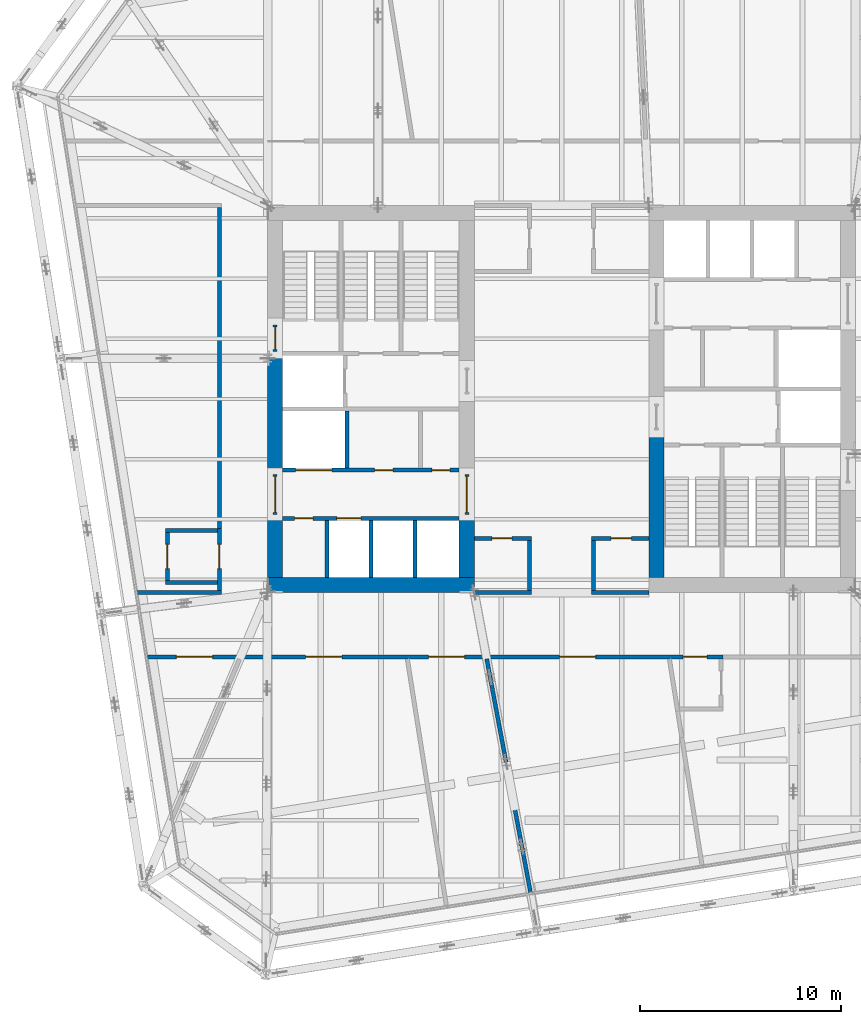
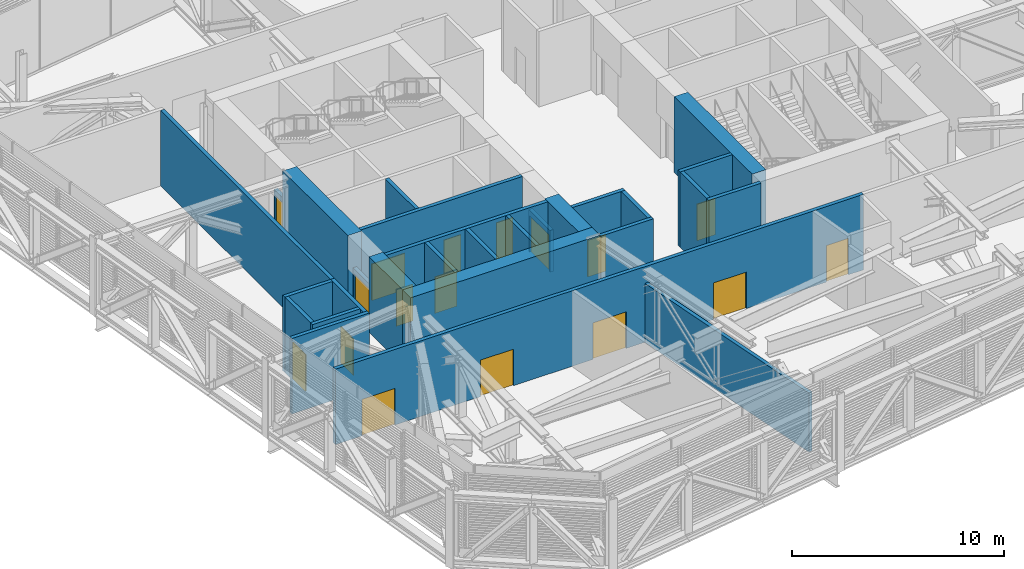
# One storey, part 20 of 31: 28 walls, 17 doors, 17 openings.
"""IFC4 building model written with IfcOpenShell, lengths in metres."""

import ifcopenshell
import ifcopenshell.guid

model = None  # the IFC model being written
_history = None  # IfcOwnerHistory: only IFC2X3 demands one
_inside = {}  # id of a spatial element -> (the spatial element, [elements in it])
_under = {}  # id of a project, library or spatial element -> (it, [spatial elements below it])
_declared = {}  # id of a project -> (the project, [libraries it declares])
_typed = {}  # id of a type object -> (the type object, [elements of that type])
_made_of = {}  # id of a material, layer set ... -> (it, [elements and type objects made of it])


def new_model(schema):
    """Start an empty IFC model of exactly this schema.

    Asked for "IFC4X3", IfcOpenShell would pick the latest addendum, in which some entities
    have other attributes; the version numbers below select the first issue.
    IFC2X3 requires an IfcOwnerHistory on every rooted entity: one is made here for all.
    """
    global model, _history
    if schema == "IFC4X3":
        model = ifcopenshell.file(schema_version=(4, 3, 0, 0))
    else:
        model = ifcopenshell.file(schema=schema)
    _inside.clear()
    _under.clear()
    _declared.clear()
    _typed.clear()
    _made_of.clear()
    _history = None
    if model.schema == "IFC2X3":
        org = make("IfcOrganization", Name="unknown")
        user = make(
            "IfcPersonAndOrganization",
            ThePerson=make("IfcPerson", FamilyName="unknown"),
            TheOrganization=org,
        )
        app = make(
            "IfcApplication",
            ApplicationDeveloper=org,
            Version="unknown",
            ApplicationFullName="unknown",
            ApplicationIdentifier="unknown",
        )
        _history = make(
            "IfcOwnerHistory",
            OwningUser=user,
            OwningApplication=app,
            ChangeAction="ADDED",
            CreationDate=0,
        )
    return model


def make(cls, **values):
    """One entity of the class cls with the attributes given. An attribute that is None is left unset."""
    return model.create_entity(
        cls, **{name: value for name, value in values.items() if value is not None}
    )


def rooted(cls, **values):
    """An entity with a GlobalId (a new one), such as an element, a storey or a relation."""
    return make(cls, GlobalId=ifcopenshell.guid.new(), OwnerHistory=_history, **values)


def si_unit(unit_type, name, prefix=None):
    """IfcSIUnit, for example si_unit("LENGTHUNIT", "METRE", prefix="MILLI")."""
    return make("IfcSIUnit", UnitType=unit_type, Prefix=prefix, Name=name)


def assignment(units):
    """IfcUnitAssignment: the units of a project."""
    return None if units is None else make("IfcUnitAssignment", Units=units)


def point(xyz):
    """IfcCartesianPoint."""
    return None if xyz is None else make("IfcCartesianPoint", Coordinates=xyz)


def direction(xyz):
    """IfcDirection."""
    return None if xyz is None else make("IfcDirection", DirectionRatios=xyz)


def frame(location, z_axis=None, x_axis=None):
    """IfcAxis2Placement3D, a coordinate frame: its origin and axes. An axis left out is left unset."""
    return make(
        "IfcAxis2Placement3D",
        Location=point(location),
        Axis=direction(z_axis),
        RefDirection=direction(x_axis),
    )


def frame_2d(location, x_axis=None):
    """IfcAxis2Placement2D, a coordinate frame in the plane: its origin and x axis."""
    return make(
        "IfcAxis2Placement2D", Location=point(location), RefDirection=direction(x_axis)
    )


def origin():
    """The frame at (0, 0, 0) with its axes left unset."""
    return frame((0.0, 0.0, 0.0))


def place(relative_to, where):
    """IfcLocalPlacement: puts the frame where relative to a parent placement (None: the world)."""
    return make(
        "IfcLocalPlacement", PlacementRelTo=relative_to, RelativePlacement=where
    )


def context(
    kind, dimensions, precision=None, world=None, true_north=None, identifier=None
):
    """IfcGeometricRepresentationContext, for example the 3D "Model" context."""
    return make(
        "IfcGeometricRepresentationContext",
        ContextIdentifier=identifier,
        ContextType=kind,
        CoordinateSpaceDimension=dimensions,
        Precision=precision,
        WorldCoordinateSystem=world,
        TrueNorth=true_north,
    )


def subcontext(parent, identifier, kind, view, scale=None):
    """IfcGeometricRepresentationSubContext, for example "Body" below "Model"."""
    return make(
        "IfcGeometricRepresentationSubContext",
        ContextIdentifier=identifier,
        ContextType=kind,
        ParentContext=parent,
        TargetScale=scale,
        TargetView=view,
    )


def project(units=None, contexts=None):
    """IfcProject with its units and contexts."""
    return rooted(
        "IfcProject",
        Name="project",
        RepresentationContexts=contexts,
        UnitsInContext=assignment(units),
    )


def spatial(cls, under=None, at=None, **own):
    """A site, building, storey or space (cls), placed at a placement, below another one or the project."""
    s = rooted(cls, ObjectPlacement=at, **own)
    if under is not None:
        _under.setdefault(under.id(), (under, []))[1].append(s)
    return s


def profile(cls, at=None, kind="AREA", **sizes):
    """A parametric profile (cls). Its sizes go by their IFC names, for example OverallWidth=200.0."""
    return make(cls, ProfileType=kind, Position=at, **sizes)


def rectangle(**sizes):
    """IfcRectangleProfileDef."""
    return profile("IfcRectangleProfileDef", **sizes)


def extrude(swept, where, along, depth):
    """IfcExtrudedAreaSolid: the profile swept, set in the frame where, extruded along a direction by depth."""
    return make(
        "IfcExtrudedAreaSolid",
        SweptArea=swept,
        Position=where,
        ExtrudedDirection=direction(along),
        Depth=depth,
    )


def shape(context_of_items, identifier, shape_type, items):
    """IfcShapeRepresentation: the items that make up one representation, for example the "Body"."""
    return make(
        "IfcShapeRepresentation",
        ContextOfItems=context_of_items,
        RepresentationIdentifier=identifier,
        RepresentationType=shape_type,
        Items=items,
    )


def material(Name=None, Category=None):
    """IfcMaterial."""
    return make("IfcMaterial", Name=Name, Category=Category)


def layer(
    of_material, thickness, ventilated=None, Name=None, Category=None, Priority=None
):
    """IfcMaterialLayer: one layer of a wall or slab, of a material (None: an air gap)."""
    return make(
        "IfcMaterialLayer",
        Material=of_material,
        LayerThickness=thickness,
        IsVentilated=ventilated,
        Name=Name,
        Category=Category,
        Priority=Priority,
    )


def layer_set(layers, Name=None):
    """IfcMaterialLayerSet."""
    return make("IfcMaterialLayerSet", MaterialLayers=layers, LayerSetName=Name)


def made_of(thing, what):
    """Note that an element or type object is made of a material, layer set ...; save() writes the relation."""
    if what is not None:
        _made_of.setdefault(what.id(), (what, []))[1].append(thing)
    return thing


def type_object(cls, material=None, **own):
    """A type object (cls), such as IfcWallType, which elements share."""
    return made_of(rooted(cls, **own), material)


def element(
    cls,
    number,
    at=None,
    inside=None,
    cuts=None,
    type_object=None,
    material=None,
    context=None,
    identifier="Body",
    shape_type=None,
    held_by="IfcProductDefinitionShape",
    body=None,
    shapes=None,
    **own,
):
    """One element of the class cls, such as IfcWall. Its Tag is "e" and its number.

    at: its placement. inside: the storey or other place that contains it. cuts: it is an
    opening in that element (IfcRelVoidsElement). A single representation is given by context,
    identifier, shape_type and body (its items); several are given by shapes. held_by: the class
    of the entity that holds the representations. save() writes the other relations.
    """
    e = rooted(cls, Tag="e%d" % number, ObjectPlacement=at, **own)
    if body is not None:
        shapes = [shape(context, identifier, shape_type, body)]
    if shapes is not None:
        e.Representation = make(held_by, Representations=shapes)
    if inside is not None:
        _inside.setdefault(inside.id(), (inside, []))[1].append(e)
    if cuts is not None:
        rooted(
            "IfcRelVoidsElement", RelatingBuildingElement=cuts, RelatedOpeningElement=e
        )
    if type_object is not None:
        _typed.setdefault(type_object.id(), (type_object, []))[1].append(e)
    return made_of(e, material)


def fill(opening, filler):
    """IfcRelFillsElement: the door or window that sits in an opening."""
    return rooted(
        "IfcRelFillsElement",
        RelatingOpeningElement=opening,
        RelatedBuildingElement=filler,
    )


def aggregate(whole, parts):
    """IfcRelAggregates: a whole, such as a stair, and the parts it consists of."""
    return rooted("IfcRelAggregates", RelatingObject=whole, RelatedObjects=parts)


def save(model, path):
    """Write the relations noted so far, then the file.

    IfcRelAggregates (storeys below a building ...), IfcRelContainedInSpatialStructure (elements
    in a storey), IfcRelDefinesByType, IfcRelAssociatesMaterial and IfcRelDeclares: one each for
    every whole, place, type object, material and project.
    """
    for whole, parts in _under.values():
        aggregate(whole, parts)
    for where, things in _inside.values():
        rooted(
            "IfcRelContainedInSpatialStructure",
            RelatedElements=things,
            RelatingStructure=where,
        )
    for kind, things in _typed.values():
        rooted("IfcRelDefinesByType", RelatedObjects=things, RelatingType=kind)
    for what, things in _made_of.values():
        rooted("IfcRelAssociatesMaterial", RelatedObjects=things, RelatingMaterial=what)
    for by, libraries in _declared.values():
        rooted("IfcRelDeclares", RelatingContext=by, RelatedDefinitions=libraries)
    model.write(path)


model = new_model("IFC4")

# Units and contexts
model_context = context("Model", 3, precision=1e-05, world=origin(), true_north=direction((0.0, 1.0)))
body_context = subcontext(model_context, "Body", "Model", "MODEL_VIEW")
ifc_project = project(units=[si_unit("LENGTHUNIT", "METRE"), si_unit("AREAUNIT", "SQUARE_METRE"), si_unit("VOLUMEUNIT", "CUBIC_METRE"), si_unit("PLANEANGLEUNIT", "RADIAN"), si_unit("MASSUNIT", "GRAM", prefix="KILO")], contexts=[model_context])

# Site, building, storey
site_placement = place(None, origin())
site = spatial("IfcSite", under=ifc_project, at=site_placement, CompositionType="ELEMENT")
building_placement = place(site_placement, origin())
building = spatial("IfcBuilding", under=site, at=building_placement, Name="Millrace Tower", CompositionType="ELEMENT")
storey_placement = place(building_placement, frame((0.0, 0.0, 195.60009765625)))
storey = spatial("IfcBuildingStorey", under=building, at=storey_placement, Name="L44", CompositionType="ELEMENT", Elevation=195.60009765625)

# Walls
ifc_material_1 = material(Name="Concrete C70", Category="concrete")
ifc_layer_1 = layer(ifc_material_1, 0.75)
ifc_layer_set_1 = layer_set([ifc_layer_1], Name="Concrete C70")
wall_type_1 = type_object("IfcWallType", Name="Core wall 750 Concrete C70", PredefinedType="SHEAR", material=ifc_layer_set_1)
wall_1_placement = place(storey_placement, frame((-14.64990234375, -9.27490234375, 0.0), z_axis=(0.0, 0.0, 1.0), x_axis=(1.0, 0.0, 0.0)))
element("IfcWall", 1, at=wall_1_placement, inside=storey, type_object=wall_type_1, Name="Core wall W L44", PredefinedType="SHEAR", context=body_context, shape_type="SweptSolid", body=[
    extrude(rectangle(XDim=10.2998046875, YDim=0.75, at=frame_2d((5.14990234375, 0.0))), origin(), (0.0, 0.0, 1.0), 4.33984375),
])
wall_2_placement = place(storey_placement, frame((-14.27490234375, -8.89990234375, 0.0), z_axis=(0.0, 0.0, 1.0), x_axis=(0.0, 1.0, 0.0)))
element("IfcWall", 2, at=wall_2_placement, inside=storey, type_object=wall_type_1, Name="Core wall W L44", PredefinedType="SHEAR", context=body_context, shape_type="SweptSolid", body=[
    extrude(rectangle(XDim=3.14990234375, YDim=0.75, at=frame_2d((1.574951171875, 0.0))), origin(), (0.0, 0.0, 1.0), 4.33984375),
])
wall_3_placement = place(storey_placement, frame((-14.27490234375, -3.75, 0.0), z_axis=(0.0, 0.0, 1.0), x_axis=(0.0, 1.0, 0.0)))
element("IfcWall", 3, at=wall_3_placement, inside=storey, type_object=wall_type_1, Name="Core wall W L44", PredefinedType="SHEAR", context=body_context, shape_type="SweptSolid", body=[
    extrude(rectangle(XDim=6.1298828125, YDim=0.75, at=frame_2d((3.06494140625, 0.0))), origin(), (0.0, 0.0, 1.0), 4.33984375),
])
wall_4_placement = place(storey_placement, frame((-4.72509765625, -8.89990234375, 0.0), z_axis=(0.0, 0.0, 1.0), x_axis=(0.0, 1.0, 0.0)))
element("IfcWall", 4, at=wall_4_placement, inside=storey, type_object=wall_type_1, Name="Core wall W L44", PredefinedType="SHEAR", context=body_context, shape_type="SweptSolid", body=[
    extrude(rectangle(XDim=3.14990234375, YDim=0.75, at=frame_2d((1.574951171875, 0.0))), origin(), (0.0, 0.0, 1.0), 4.33984375),
])
wall_5_placement = place(storey_placement, frame((4.72509765625, -1.550048828125, 0.0), z_axis=(0.0, 0.0, 1.0), x_axis=(0.0, -1.0, 0.0)))
element("IfcWall", 5, at=wall_5_placement, inside=storey, type_object=wall_type_1, Name="Core wall E L44", PredefinedType="SHEAR", context=body_context, shape_type="SweptSolid", body=[
    extrude(rectangle(XDim=7.349853515625, YDim=0.75, at=frame_2d((3.6748046875, 0.0))), origin(), (0.0, 0.0, 1.0), 4.33984375),
])
ifc_material_2 = material(Name="Masonry partition, fire-rated", Category="masonry")
ifc_layer_2 = layer(ifc_material_2, 0.199951171875)
ifc_layer_set_2 = layer_set([ifc_layer_2], Name="Masonry partition, fire-rated")
wall_type_2 = type_object("IfcWallType", Name="Corridor wall 200", PredefinedType="PARTITIONING", material=ifc_layer_set_2)
wall_6_placement = place(storey_placement, frame((-3.73046875, -12.953369140625, 0.0), z_axis=(0.0, 0.0, 1.0), x_axis=(0.184330800023, -0.982864261311, 0.0)))
element("IfcWall", 6, at=wall_6_placement, inside=storey, type_object=wall_type_2, Name="Corridor wall L44", PredefinedType="PARTITIONING", context=body_context, shape_type="SweptSolid", body=[
    extrude(rectangle(XDim=11.85791015625, YDim=0.199951171875, at=frame_2d((5.928955078125, 0.0))), origin(), (0.0, 0.0, 1.0), 3.392578125),
])

# Wall, openings, doors
wall_7_placement = place(storey_placement, frame((-20.6435546875, -12.85009765625, 0.0), z_axis=(0.0, 0.0, 1.0), x_axis=(1.0, 0.0, 0.0)))
wall_7 = element("IfcWall", 7, at=wall_7_placement, inside=storey, type_object=wall_type_2, Name="Corridor wall L44", PredefinedType="PARTITIONING", context=body_context, shape_type="SweptSolid", body=[
    extrude(rectangle(XDim=28.700439453125, YDim=0.199951171875, at=frame_2d((14.35009765625, 0.0))), origin(), (0.0, 0.0, 1.0), 4.33984375),
])
opening_1_placement = place(wall_7_placement, frame((1.44580078125, 0.0, 0.0)))
opening_1 = element("IfcOpeningElement", 8, at=opening_1_placement, cuts=wall_7, Name="Opening 44-P011", PredefinedType="OPENING", context=body_context, shape_type="SweptSolid", body=[
    extrude(rectangle(XDim=1.800048828125, YDim=2.10009765625, at=frame_2d((0.89990234375, 1.050048828125))), frame((0.0, 0.10986328125, 0.0), z_axis=(0.0, -1.0, 0.0), x_axis=(1.0, 0.0, 0.0)), (0.0, 0.0, 1.0), 0.219970703125),
])
opening_2_placement = place(wall_7_placement, frame((7.89013671875, 0.0, 0.0)))
opening_2 = element("IfcOpeningElement", 9, at=opening_2_placement, cuts=wall_7, Name="Opening 44-P012", PredefinedType="OPENING", context=body_context, shape_type="SweptSolid", body=[
    extrude(rectangle(XDim=1.800048828125, YDim=2.10009765625, at=frame_2d((0.89990234375, 1.050048828125))), frame((0.0, 0.10986328125, 0.0), z_axis=(0.0, -1.0, 0.0), x_axis=(1.0, 0.0, 0.0)), (0.0, 0.0, 1.0), 0.219970703125),
])
opening_3_placement = place(wall_7_placement, frame((14.0166015625, 0.0, 0.0)))
opening_3 = element("IfcOpeningElement", 10, at=opening_3_placement, cuts=wall_7, Name="Opening 44-P013", PredefinedType="OPENING", context=body_context, shape_type="SweptSolid", body=[
    extrude(rectangle(XDim=1.800048828125, YDim=2.10009765625, at=frame_2d((0.89990234375, 1.050048828125))), frame((0.0, 0.10986328125, 0.0), z_axis=(0.0, -1.0, 0.0), x_axis=(1.0, 0.0, 0.0)), (0.0, 0.0, 1.0), 0.219970703125),
])
opening_4_placement = place(wall_7_placement, frame((20.547119140625, 0.0, 0.0)))
opening_4 = element("IfcOpeningElement", 11, at=opening_4_placement, cuts=wall_7, Name="Opening 44-P014", PredefinedType="OPENING", context=body_context, shape_type="SweptSolid", body=[
    extrude(rectangle(XDim=1.800048828125, YDim=2.10009765625, at=frame_2d((0.89990234375, 1.050048828125))), frame((0.0, 0.10986328125, 0.0), z_axis=(0.0, -1.0, 0.0), x_axis=(1.0, 0.0, 0.0)), (0.0, 0.0, 1.0), 0.219970703125),
])
opening_5_placement = place(wall_7_placement, frame((26.700439453125, 0.0, 0.0)))
opening_5 = element("IfcOpeningElement", 12, at=opening_5_placement, cuts=wall_7, Name="Opening 44-P016", PredefinedType="OPENING", context=body_context, shape_type="SweptSolid", body=[
    extrude(rectangle(XDim=1.199951171875, YDim=2.10009765625, at=frame_2d((0.60009765625, 1.050048828125))), frame((0.0, 0.10986328125, 0.0), z_axis=(0.0, -1.0, 0.0), x_axis=(1.0, 0.0, 0.0)), (0.0, 0.0, 1.0), 0.219970703125),
])
ifc_material_3 = material(Name="Steel door set, fire-rated", Category="steel")
door_type_1 = type_object("IfcDoorType", Name="Corridor door 1200 x 2100", OperationType="SINGLE_SWING_LEFT", PredefinedType="DOOR", material=ifc_material_3)
door_1_placement = place(opening_5_placement, frame((1.199951171875, 0.0, 0.0), z_axis=(0.0, 0.0, 1.0), x_axis=(-1.0, 0.0, 0.0)))
door_1 = element("IfcDoor", 13, at=door_1_placement, inside=storey, type_object=door_type_1, Name="Door 44-P016", OperationType="SINGLE_SWING_LEFT", OverallHeight=2.10009765625, OverallWidth=1.199951171875, PredefinedType="DOOR", context=body_context, shape_type="SweptSolid", body=[
    extrude(rectangle(XDim=1.199951171875, YDim=2.10009765625, at=frame_2d((0.60009765625, 1.050048828125))), frame((0.0, 0.02490234375, 0.0), z_axis=(0.0, -1.0, 0.0), x_axis=(1.0, 0.0, 0.0)), (0.0, 0.0, 1.0), 0.050048828125),
])
fill(opening_5, door_1)
ifc_material_4 = material(Name="Steel door set, fire-rated", Category="steel")
door_type_2 = type_object("IfcDoorType", Name="Plant room door 1800 x 2100", OperationType="DOUBLE_DOOR_SINGLE_SWING", PredefinedType="DOOR", material=ifc_material_4)
door_2_placement = place(opening_1_placement, frame((1.800048828125, 0.0, 0.0), z_axis=(0.0, 0.0, 1.0), x_axis=(-1.0, 0.0, 0.0)))
door_2 = element("IfcDoor", 14, at=door_2_placement, inside=storey, type_object=door_type_2, Name="Door 44-P011", OperationType="DOUBLE_DOOR_SINGLE_SWING", OverallHeight=2.10009765625, OverallWidth=1.800048828125, PredefinedType="DOOR", context=body_context, shape_type="SweptSolid", body=[
    extrude(rectangle(XDim=1.800048828125, YDim=2.10009765625, at=frame_2d((0.89990234375, 1.050048828125))), frame((0.0, 0.02490234375, 0.0), z_axis=(0.0, -1.0, 0.0), x_axis=(1.0, 0.0, 0.0)), (0.0, 0.0, 1.0), 0.050048828125),
])
fill(opening_1, door_2)
door_3_placement = place(opening_2_placement, frame((1.800048828125, 0.0, 0.0), z_axis=(0.0, 0.0, 1.0), x_axis=(-1.0, 0.0, 0.0)))
door_3 = element("IfcDoor", 15, at=door_3_placement, inside=storey, type_object=door_type_2, Name="Door 44-P012", OperationType="DOUBLE_DOOR_SINGLE_SWING", OverallHeight=2.10009765625, OverallWidth=1.800048828125, PredefinedType="DOOR", context=body_context, shape_type="SweptSolid", body=[
    extrude(rectangle(XDim=1.800048828125, YDim=2.10009765625, at=frame_2d((0.89990234375, 1.050048828125))), frame((0.0, 0.02490234375, 0.0), z_axis=(0.0, -1.0, 0.0), x_axis=(1.0, 0.0, 0.0)), (0.0, 0.0, 1.0), 0.050048828125),
])
fill(opening_2, door_3)
door_4_placement = place(opening_3_placement, frame((1.800048828125, 0.0, 0.0), z_axis=(0.0, 0.0, 1.0), x_axis=(-1.0, 0.0, 0.0)))
door_4 = element("IfcDoor", 16, at=door_4_placement, inside=storey, type_object=door_type_2, Name="Door 44-P013", OperationType="DOUBLE_DOOR_SINGLE_SWING", OverallHeight=2.10009765625, OverallWidth=1.800048828125, PredefinedType="DOOR", context=body_context, shape_type="SweptSolid", body=[
    extrude(rectangle(XDim=1.800048828125, YDim=2.10009765625, at=frame_2d((0.89990234375, 1.050048828125))), frame((0.0, 0.02490234375, 0.0), z_axis=(0.0, -1.0, 0.0), x_axis=(1.0, 0.0, 0.0)), (0.0, 0.0, 1.0), 0.050048828125),
])
fill(opening_3, door_4)
door_5_placement = place(opening_4_placement, frame((1.800048828125, 0.0, 0.0), z_axis=(0.0, 0.0, 1.0), x_axis=(-1.0, 0.0, 0.0)))
door_5 = element("IfcDoor", 17, at=door_5_placement, inside=storey, type_object=door_type_2, Name="Door 44-P014", OperationType="DOUBLE_DOOR_SINGLE_SWING", OverallHeight=2.10009765625, OverallWidth=1.800048828125, PredefinedType="DOOR", context=body_context, shape_type="SweptSolid", body=[
    extrude(rectangle(XDim=1.800048828125, YDim=2.10009765625, at=frame_2d((0.89990234375, 1.050048828125))), frame((0.0, 0.02490234375, 0.0), z_axis=(0.0, -1.0, 0.0), x_axis=(1.0, 0.0, 0.0)), (0.0, 0.0, 1.0), 0.050048828125),
])
fill(opening_4, door_5)

# Walls
for number, where, z_axis, x_axis, name in (
    (18, (-4.35009765625, -9.64990234375, 0.0), (0.0, 0.0, 1.0), (1.0, 0.0, 0.0), "Corridor wall L44"),
    (19, (1.5, -9.64990234375, 0.0), (0.0, 0.0, 1.0), (1.0, 0.0, 0.0), "Corridor wall L44"),
):
    element("IfcWall", number, at=place(storey_placement, frame(where, z_axis=z_axis, x_axis=x_axis)), inside=storey, type_object=wall_type_2, Name=name, PredefinedType="PARTITIONING", context=body_context, shape_type="SweptSolid", body=[
        extrude(rectangle(XDim=2.85009765625, YDim=0.199951171875, at=frame_2d((1.425048828125, 0.0))), origin(), (0.0, 0.0, 1.0), 4.33984375),
    ])

# Wall, opening, door
wall_8_placement = place(storey_placement, frame((-4.35009765625, -6.949951171875, 0.0), z_axis=(0.0, 0.0, 1.0), x_axis=(1.0, 0.0, 0.0)))
wall_8 = element("IfcWall", 20, at=wall_8_placement, inside=storey, type_object=wall_type_2, Name="Corridor wall L44", PredefinedType="PARTITIONING", context=body_context, shape_type="SweptSolid", body=[
    extrude(rectangle(XDim=2.85009765625, YDim=0.199951171875, at=frame_2d((1.425048828125, 0.0))), origin(), (0.0, 0.0, 1.0), 4.33984375),
])
opening_6_placement = place(wall_8_placement, frame((0.875, 0.0, 0.0)))
opening_6 = element("IfcOpeningElement", 21, at=opening_6_placement, cuts=wall_8, Name="Opening 44-P003", PredefinedType="OPENING", context=body_context, shape_type="SweptSolid", body=[
    extrude(rectangle(XDim=1.0, YDim=2.10009765625, at=frame_2d((0.5, 1.050048828125))), frame((0.0, 0.10986328125, 0.0), z_axis=(0.0, -1.0, 0.0), x_axis=(1.0, 0.0, 0.0)), (0.0, 0.0, 1.0), 0.219970703125),
])
ifc_material_5 = material(Name="Steel door set, fire-rated", Category="steel")
door_type_3 = type_object("IfcDoorType", Name="Corridor door 1000 x 2100", OperationType="SINGLE_SWING_LEFT", PredefinedType="DOOR", material=ifc_material_5)
door_6_placement = place(opening_6_placement, frame((1.0, 0.0, 0.0), z_axis=(0.0, 0.0, 1.0), x_axis=(-1.0, 0.0, 0.0)))
door_6 = element("IfcDoor", 22, at=door_6_placement, inside=storey, type_object=door_type_3, Name="Door 44-P003", OperationType="SINGLE_SWING_LEFT", OverallHeight=2.10009765625, OverallWidth=1.0, PredefinedType="DOOR", context=body_context, shape_type="SweptSolid", body=[
    extrude(rectangle(XDim=1.0, YDim=2.10009765625, at=frame_2d((0.5, 1.050048828125))), frame((0.0, 0.02490234375, 0.0), z_axis=(0.0, -1.0, 0.0), x_axis=(1.0, 0.0, 0.0)), (0.0, 0.0, 1.0), 0.050048828125),
])
fill(opening_6, door_6)

wall_9_placement = place(storey_placement, frame((1.5, -6.949951171875, 0.0), z_axis=(0.0, 0.0, 1.0), x_axis=(1.0, 0.0, 0.0)))
wall_9 = element("IfcWall", 23, at=wall_9_placement, inside=storey, type_object=wall_type_2, Name="Corridor wall L44", PredefinedType="PARTITIONING", context=body_context, shape_type="SweptSolid", body=[
    extrude(rectangle(XDim=2.85009765625, YDim=0.199951171875, at=frame_2d((1.425048828125, 0.0))), origin(), (0.0, 0.0, 1.0), 4.33984375),
])
opening_7_placement = place(wall_9_placement, frame((0.97509765625, 0.0, 0.0)))
opening_7 = element("IfcOpeningElement", 24, at=opening_7_placement, cuts=wall_9, Name="Opening 44-P004", PredefinedType="OPENING", context=body_context, shape_type="SweptSolid", body=[
    extrude(rectangle(XDim=1.0, YDim=2.10009765625, at=frame_2d((0.5, 1.050048828125))), frame((0.0, 0.10986328125, 0.0), z_axis=(0.0, -1.0, 0.0), x_axis=(1.0, 0.0, 0.0)), (0.0, 0.0, 1.0), 0.219970703125),
])
door_7_placement = place(opening_7_placement, frame((1.0, 0.0, 0.0), z_axis=(0.0, 0.0, 1.0), x_axis=(-1.0, 0.0, 0.0)))
door_7 = element("IfcDoor", 25, at=door_7_placement, inside=storey, type_object=door_type_3, Name="Door 44-P004", OperationType="SINGLE_SWING_LEFT", OverallHeight=2.10009765625, OverallWidth=1.0, PredefinedType="DOOR", context=body_context, shape_type="SweptSolid", body=[
    extrude(rectangle(XDim=1.0, YDim=2.10009765625, at=frame_2d((0.5, 1.050048828125))), frame((0.0, 0.02490234375, 0.0), z_axis=(0.0, -1.0, 0.0), x_axis=(1.0, 0.0, 0.0)), (0.0, 0.0, 1.0), 0.050048828125),
])
fill(opening_7, door_7)

# Walls
for number, where, z_axis, x_axis, name in (
    (26, (1.60009765625, -9.550048828125, 0.0), (0.0, 0.0, 1.0), (0.0, 1.0, 0.0), "Corridor wall L44"),
    (27, (-1.60009765625, -9.550048828125, 0.0), (0.0, 0.0, 1.0), (0.0, 1.0, 0.0), "Corridor wall L44"),
):
    element("IfcWall", number, at=place(storey_placement, frame(where, z_axis=z_axis, x_axis=x_axis)), inside=storey, type_object=wall_type_2, Name=name, PredefinedType="PARTITIONING", context=body_context, shape_type="SweptSolid", body=[
        extrude(rectangle(XDim=2.5, YDim=0.199951171875, at=frame_2d((1.25, 0.0))), origin(), (0.0, 0.0, 1.0), 4.33984375),
    ])

# Wall, opening, door
wall_10_placement = place(storey_placement, frame((-17.050048828125, -9.550048828125, 0.0), z_axis=(0.0, 0.0, 1.0), x_axis=(0.0, 1.0, 0.0)))
wall_10 = element("IfcWall", 28, at=wall_10_placement, inside=storey, type_object=wall_type_2, Name="Corridor wall L44", PredefinedType="PARTITIONING", context=body_context, shape_type="SweptSolid", body=[
    extrude(rectangle(XDim=3.10009765625, YDim=0.199951171875, at=frame_2d((1.550048828125, 0.0))), origin(), (0.0, 0.0, 1.0), 4.33984375),
])
opening_8_placement = place(wall_10_placement, frame((1.10009765625, 0.0, 0.0)))
opening_8 = element("IfcOpeningElement", 29, at=opening_8_placement, cuts=wall_10, Name="Opening 44-P018", PredefinedType="OPENING", context=body_context, shape_type="SweptSolid", body=[
    extrude(rectangle(XDim=1.199951171875, YDim=2.10009765625, at=frame_2d((0.60009765625, 1.050048828125))), frame((0.0, 0.10986328125, 0.0), z_axis=(0.0, -1.0, 0.0), x_axis=(1.0, 0.0, 0.0)), (0.0, 0.0, 1.0), 0.219970703125),
])
door_8_placement = place(opening_8_placement, origin())
door_8 = element("IfcDoor", 30, at=door_8_placement, inside=storey, type_object=door_type_1, Name="Door 44-P018", OperationType="SINGLE_SWING_RIGHT", OverallHeight=2.10009765625, OverallWidth=1.199951171875, PredefinedType="DOOR", context=body_context, shape_type="SweptSolid", body=[
    extrude(rectangle(XDim=1.199951171875, YDim=2.10009765625, at=frame_2d((0.60009765625, 1.050048828125))), frame((0.0, 0.02490234375, 0.0), z_axis=(0.0, -1.0, 0.0), x_axis=(1.0, 0.0, 0.0)), (0.0, 0.0, 1.0), 0.050048828125),
])
fill(opening_8, door_8)

# Wall, openings, doors
ifc_material_6 = material(Name="Masonry partition, fire-rated", Category="masonry")
ifc_layer_3 = layer(ifc_material_6, 0.199951171875)
ifc_layer_set_3 = layer_set([ifc_layer_3], Name="Masonry partition, fire-rated")
wall_type_3 = type_object("IfcWallType", Name="Lift shaft wall 200", PredefinedType="PARTITIONING", material=ifc_layer_set_3)
wall_11_placement = place(storey_placement, frame((-13.89990234375, -5.949951171875, 0.0), z_axis=(0.0, 0.0, 1.0), x_axis=(1.0, 0.0, 0.0)))
wall_11 = element("IfcWall", 31, at=wall_11_placement, inside=storey, type_object=wall_type_3, Name="Lift shaft wall W L44", PredefinedType="PARTITIONING", context=body_context, shape_type="SweptSolid", body=[
    extrude(rectangle(XDim=8.7998046875, YDim=0.199951171875, at=frame_2d((4.39990234375, 0.0))), origin(), (0.0, 0.0, 1.0), 4.33984375),
])
opening_9_placement = place(wall_11_placement, frame((2.699951171875, 0.0, 0.0)))
opening_9 = element("IfcOpeningElement", 32, at=opening_9_placement, cuts=wall_11, Name="Opening 44-LD02", PredefinedType="OPENING", context=body_context, shape_type="SweptSolid", body=[
    extrude(rectangle(XDim=1.199951171875, YDim=2.10009765625, at=frame_2d((0.60009765625, 1.050048828125))), frame((0.0, 0.10986328125, 0.0), z_axis=(0.0, -1.0, 0.0), x_axis=(1.0, 0.0, 0.0)), (0.0, 0.0, 1.0), 0.219970703125),
])
opening_10_placement = place(wall_11_placement, frame((0.60009765625, 0.0, 0.0)))
opening_10 = element("IfcOpeningElement", 33, at=opening_10_placement, cuts=wall_11, Name="Opening 44-C005", PredefinedType="OPENING", context=body_context, shape_type="SweptSolid", body=[
    extrude(rectangle(XDim=0.89990234375, YDim=2.10009765625, at=frame_2d((0.449951171875, 1.050048828125))), frame((0.0, 0.10986328125, 0.0), z_axis=(0.0, -1.0, 0.0), x_axis=(1.0, 0.0, 0.0)), (0.0, 0.0, 1.0), 0.219970703125),
])
ifc_material_7 = material(Name="Stainless steel, fire-rated", Category="steel")
door_type_4 = type_object("IfcDoorType", Name="Lift landing door 1200 x 2100", OperationType="DOUBLE_DOOR_SLIDING", PredefinedType="DOOR", material=ifc_material_7)
door_9_placement = place(opening_9_placement, origin())
door_9 = element("IfcDoor", 34, at=door_9_placement, inside=storey, type_object=door_type_4, Name="Lift landing door LF2 L44", OperationType="DOUBLE_DOOR_SLIDING", OverallHeight=2.10009765625, OverallWidth=1.199951171875, PredefinedType="DOOR", context=body_context, shape_type="SweptSolid", body=[
    extrude(rectangle(XDim=1.199951171875, YDim=2.10009765625, at=frame_2d((0.60009765625, 1.050048828125))), frame((0.0, 0.02490234375, 0.0), z_axis=(0.0, -1.0, 0.0), x_axis=(1.0, 0.0, 0.0)), (0.0, 0.0, 1.0), 0.050048828125),
])
fill(opening_9, door_9)
ifc_material_8 = material(Name="Steel door, fire-rated", Category="steel")
door_type_5 = type_object("IfcDoorType", Name="Service room door 900 x 2100", OperationType="SINGLE_SWING_LEFT", PredefinedType="DOOR", material=ifc_material_8)
door_10_placement = place(opening_10_placement, frame((0.89990234375, 0.0, 0.0), z_axis=(0.0, 0.0, 1.0), x_axis=(-1.0, 0.0, 0.0)))
door_10 = element("IfcDoor", 35, at=door_10_placement, inside=storey, type_object=door_type_5, Name="Service room door 44-C005", OperationType="SINGLE_SWING_RIGHT", OverallHeight=2.10009765625, OverallWidth=0.89990234375, PredefinedType="DOOR", context=body_context, shape_type="SweptSolid", body=[
    extrude(rectangle(XDim=0.89990234375, YDim=2.10009765625, at=frame_2d((0.449951171875, 1.050048828125))), frame((0.0, 0.02490234375, 0.0), z_axis=(0.0, -1.0, 0.0), x_axis=(1.0, 0.0, 0.0)), (0.0, 0.0, 1.0), 0.050048828125),
])
fill(opening_10, door_10)

wall_12_placement = place(storey_placement, frame((-13.89990234375, -3.550048828125, 0.0), z_axis=(0.0, 0.0, 1.0), x_axis=(1.0, 0.0, 0.0)))
wall_12 = element("IfcWall", 36, at=wall_12_placement, inside=storey, type_object=wall_type_3, Name="Lift shaft wall W L44", PredefinedType="PARTITIONING", context=body_context, shape_type="SweptSolid", body=[
    extrude(rectangle(XDim=8.7998046875, YDim=0.199951171875, at=frame_2d((4.39990234375, 0.0))), origin(), (0.0, 0.0, 1.0), 4.33984375),
])
opening_11_placement = place(wall_12_placement, frame((0.64990234375, 0.0, 0.0)))
opening_11 = element("IfcOpeningElement", 37, at=opening_11_placement, cuts=wall_12, Name="Opening 44-LD05", PredefinedType="OPENING", context=body_context, shape_type="SweptSolid", body=[
    extrude(rectangle(XDim=1.800048828125, YDim=2.10009765625, at=frame_2d((0.89990234375, 1.050048828125))), frame((0.0, 0.10986328125, 0.0), z_axis=(0.0, -1.0, 0.0), x_axis=(1.0, 0.0, 0.0)), (0.0, 0.0, 1.0), 0.219970703125),
])
opening_12_placement = place(wall_12_placement, frame((4.58740234375, 0.0, 0.0)))
opening_12 = element("IfcOpeningElement", 38, at=opening_12_placement, cuts=wall_12, Name="Opening 44-C006", PredefinedType="OPENING", context=body_context, shape_type="SweptSolid", body=[
    extrude(rectangle(XDim=0.89990234375, YDim=2.10009765625, at=frame_2d((0.449951171875, 1.050048828125))), frame((0.0, 0.10986328125, 0.0), z_axis=(0.0, -1.0, 0.0), x_axis=(1.0, 0.0, 0.0)), (0.0, 0.0, 1.0), 0.219970703125),
])
opening_13_placement = place(wall_12_placement, frame((7.4375, 0.0, 0.0)))
opening_13 = element("IfcOpeningElement", 39, at=opening_13_placement, cuts=wall_12, Name="Opening 44-C007", PredefinedType="OPENING", context=body_context, shape_type="SweptSolid", body=[
    extrude(rectangle(XDim=0.89990234375, YDim=2.10009765625, at=frame_2d((0.449951171875, 1.050048828125))), frame((0.0, 0.10986328125, 0.0), z_axis=(0.0, -1.0, 0.0), x_axis=(1.0, 0.0, 0.0)), (0.0, 0.0, 1.0), 0.219970703125),
])
ifc_material_9 = material(Name="Stainless steel, fire-rated", Category="steel")
door_type_6 = type_object("IfcDoorType", Name="Lift landing door 1800 x 2100", OperationType="DOUBLE_DOOR_SLIDING", PredefinedType="DOOR", material=ifc_material_9)
door_11_placement = place(opening_11_placement, origin())
door_11 = element("IfcDoor", 40, at=door_11_placement, inside=storey, type_object=door_type_6, Name="Lift landing door LF5 L44", OperationType="DOUBLE_DOOR_SLIDING", OverallHeight=2.10009765625, OverallWidth=1.800048828125, PredefinedType="DOOR", context=body_context, shape_type="SweptSolid", body=[
    extrude(rectangle(XDim=1.800048828125, YDim=2.10009765625, at=frame_2d((0.89990234375, 1.050048828125))), frame((0.0, 0.02490234375, 0.0), z_axis=(0.0, -1.0, 0.0), x_axis=(1.0, 0.0, 0.0)), (0.0, 0.0, 1.0), 0.050048828125),
])
fill(opening_11, door_11)
door_12_placement = place(opening_12_placement, origin())
door_12 = element("IfcDoor", 41, at=door_12_placement, inside=storey, type_object=door_type_5, Name="Service room door 44-C006", OperationType="SINGLE_SWING_RIGHT", OverallHeight=2.10009765625, OverallWidth=0.89990234375, PredefinedType="DOOR", context=body_context, shape_type="SweptSolid", body=[
    extrude(rectangle(XDim=0.89990234375, YDim=2.10009765625, at=frame_2d((0.449951171875, 1.050048828125))), frame((0.0, 0.02490234375, 0.0), z_axis=(0.0, -1.0, 0.0), x_axis=(1.0, 0.0, 0.0)), (0.0, 0.0, 1.0), 0.050048828125),
])
fill(opening_12, door_12)
door_13_placement = place(opening_13_placement, origin())
door_13 = element("IfcDoor", 42, at=door_13_placement, inside=storey, type_object=door_type_5, Name="Service room door 44-C007", OperationType="SINGLE_SWING_RIGHT", OverallHeight=2.10009765625, OverallWidth=0.89990234375, PredefinedType="DOOR", context=body_context, shape_type="SweptSolid", body=[
    extrude(rectangle(XDim=0.89990234375, YDim=2.10009765625, at=frame_2d((0.449951171875, 1.050048828125))), frame((0.0, 0.02490234375, 0.0), z_axis=(0.0, -1.0, 0.0), x_axis=(1.0, 0.0, 0.0)), (0.0, 0.0, 1.0), 0.050048828125),
])
fill(opening_13, door_13)

# Walls
for number, where, z_axis, x_axis, name in (
    (43, (-11.699951171875, -8.89990234375, 0.0), (0.0, 0.0, 1.0), (0.0, 1.0, 0.0), "Lift shaft wall W L44"),
    (44, (-9.5, -8.89990234375, 0.0), (0.0, 0.0, 1.0), (0.0, 1.0, 0.0), "Lift shaft wall W L44"),
    (45, (-7.300048828125, -8.89990234375, 0.0), (0.0, 0.0, 1.0), (0.0, 1.0, 0.0), "Lift shaft wall W L44"),
    (46, (-10.699951171875, -3.449951171875, 0.0), (0.0, 0.0, 1.0), (0.0, 1.0, 0.0), "Lift shaft wall W L44"),
):
    element("IfcWall", number, at=place(storey_placement, frame(where, z_axis=z_axis, x_axis=x_axis)), inside=storey, type_object=wall_type_3, Name=name, PredefinedType="PARTITIONING", context=body_context, shape_type="SweptSolid", body=[
        extrude(rectangle(XDim=2.849853515625, YDim=0.199951171875, at=frame_2d((1.4248046875, 0.0))), origin(), (0.0, 0.0, 1.0), 4.33984375),
    ])

# Wall, opening, door
ifc_material_10 = material(Name="Masonry partition, fire-rated", Category="masonry")
ifc_layer_4 = layer(ifc_material_10, 0.199951171875)
ifc_layer_set_4 = layer_set([ifc_layer_4], Name="Masonry partition, fire-rated")
wall_type_4 = type_object("IfcWallType", Name="Lobby wall 200", PredefinedType="PARTITIONING", material=ifc_layer_set_4)
wall_13_placement = place(storey_placement, frame((-14.27490234375, -5.75, 0.0), z_axis=(0.0, 0.0, 1.0), x_axis=(0.0, 1.0, 0.0)))
wall_13 = element("IfcWall", 47, at=wall_13_placement, inside=storey, type_object=wall_type_4, Name="Lobby wall W L44", PredefinedType="PARTITIONING", context=body_context, shape_type="SweptSolid", body=[
    extrude(rectangle(XDim=2.0, YDim=0.199951171875, at=frame_2d((1.0, 0.0))), origin(), (0.0, 0.0, 1.0), 2.39990234375),
])
opening_14_placement = place(wall_13_placement, frame((0.10009765625, 0.0, 0.0)))
opening_14 = element("IfcOpeningElement", 48, at=opening_14_placement, cuts=wall_13, Name="Opening 44-C001", PredefinedType="OPENING", context=body_context, shape_type="SweptSolid", body=[
    extrude(rectangle(XDim=1.800048828125, YDim=2.10009765625, at=frame_2d((0.89990234375, 1.050048828125))), frame((0.0, 0.10986328125, 0.0), z_axis=(0.0, -1.0, 0.0), x_axis=(1.0, 0.0, 0.0)), (0.0, 0.0, 1.0), 0.219970703125),
])
ifc_material_11 = material(Name="Steel door, fire-rated", Category="steel")
door_type_7 = type_object("IfcDoorType", Name="Lobby door 1800 x 2100", OperationType="DOUBLE_DOOR_SINGLE_SWING", PredefinedType="DOOR", material=ifc_material_11)
door_14_placement = place(opening_14_placement, origin())
door_14 = element("IfcDoor", 49, at=door_14_placement, inside=storey, type_object=door_type_7, Name="Lobby door 44-C001", OperationType="DOUBLE_DOOR_SINGLE_SWING", OverallHeight=2.10009765625, OverallWidth=1.800048828125, PredefinedType="DOOR", context=body_context, shape_type="SweptSolid", body=[
    extrude(rectangle(XDim=1.800048828125, YDim=2.10009765625, at=frame_2d((0.89990234375, 1.050048828125))), frame((0.0, 0.02490234375, 0.0), z_axis=(0.0, -1.0, 0.0), x_axis=(1.0, 0.0, 0.0)), (0.0, 0.0, 1.0), 0.050048828125),
])
fill(opening_14, door_14)

wall_14_placement = place(storey_placement, frame((-4.72509765625, -5.75, 0.0), z_axis=(0.0, 0.0, 1.0), x_axis=(0.0, 1.0, 0.0)))
wall_14 = element("IfcWall", 50, at=wall_14_placement, inside=storey, type_object=wall_type_4, Name="Lobby wall W L44", PredefinedType="PARTITIONING", context=body_context, shape_type="SweptSolid", body=[
    extrude(rectangle(XDim=2.0, YDim=0.199951171875, at=frame_2d((1.0, 0.0))), origin(), (0.0, 0.0, 1.0), 2.39990234375),
])
opening_15_placement = place(wall_14_placement, frame((0.10009765625, 0.0, 0.0)))
opening_15 = element("IfcOpeningElement", 51, at=opening_15_placement, cuts=wall_14, Name="Opening 44-C003", PredefinedType="OPENING", context=body_context, shape_type="SweptSolid", body=[
    extrude(rectangle(XDim=1.800048828125, YDim=2.10009765625, at=frame_2d((0.89990234375, 1.050048828125))), frame((0.0, 0.10986328125, 0.0), z_axis=(0.0, -1.0, 0.0), x_axis=(1.0, 0.0, 0.0)), (0.0, 0.0, 1.0), 0.219970703125),
])
door_15_placement = place(opening_15_placement, origin())
door_15 = element("IfcDoor", 52, at=door_15_placement, inside=storey, type_object=door_type_7, Name="Lobby door 44-C003", OperationType="DOUBLE_DOOR_SINGLE_SWING", OverallHeight=2.10009765625, OverallWidth=1.800048828125, PredefinedType="DOOR", context=body_context, shape_type="SweptSolid", body=[
    extrude(rectangle(XDim=1.800048828125, YDim=2.10009765625, at=frame_2d((0.89990234375, 1.050048828125))), frame((0.0, 0.02490234375, 0.0), z_axis=(0.0, -1.0, 0.0), x_axis=(1.0, 0.0, 0.0)), (0.0, 0.0, 1.0), 0.050048828125),
])
fill(opening_15, door_15)

# Walls
ifc_material_12 = material(Name="Masonry partition, fire-rated", Category="masonry")
ifc_layer_5 = layer(ifc_material_12, 0.199951171875)
ifc_layer_set_5 = layer_set([ifc_layer_5], Name="Masonry partition, fire-rated")
wall_type_5 = type_object("IfcWallType", Name="Refuge area wall 200", PredefinedType="PARTITIONING", material=ifc_layer_set_5)
wall_15_placement = place(storey_placement, frame((-21.150390625, -9.64990234375, 0.0), z_axis=(0.0, 0.0, 1.0), x_axis=(1.0, 0.0, 0.0)))
element("IfcWall", 53, at=wall_15_placement, inside=storey, type_object=wall_type_5, Name="Refuge area wall L44", PredefinedType="PARTITIONING", context=body_context, shape_type="SweptSolid", body=[
    extrude(rectangle(XDim=4.200439453125, YDim=0.199951171875, at=frame_2d((2.10009765625, 0.0))), origin(), (0.0, 0.0, 1.0), 4.33984375),
])
for number, where, z_axis, x_axis, name in (
    (54, (-19.75, -9.14990234375, 0.0), (0.0, 0.0, 1.0), (1.0, 0.0, 0.0), "Refuge area wall L44"),
    (55, (-19.75, -6.550048828125, 0.0), (0.0, 0.0, 1.0), (1.0, 0.0, 0.0), "Refuge area wall L44"),
):
    element("IfcWall", number, at=place(storey_placement, frame(where, z_axis=z_axis, x_axis=x_axis)), inside=storey, type_object=wall_type_5, Name=name, PredefinedType="PARTITIONING", context=body_context, shape_type="SweptSolid", body=[
        extrude(rectangle(XDim=2.60009765625, YDim=0.199951171875, at=frame_2d((1.300048828125, 0.0))), origin(), (0.0, 0.0, 1.0), 4.33984375),
    ])
wall_16_placement = place(storey_placement, frame((-17.050048828125, -6.449951171875, 0.0), z_axis=(0.0, 0.0, 1.0), x_axis=(0.0, 1.0, 0.0)))
element("IfcWall", 56, at=wall_16_placement, inside=storey, type_object=wall_type_5, Name="Refuge area wall L44", PredefinedType="PARTITIONING", context=body_context, shape_type="SweptSolid", body=[
    extrude(rectangle(XDim=16.0, YDim=0.199951171875, at=frame_2d((8.0, 0.0))), origin(), (0.0, 0.0, 1.0), 4.33984375),
])

# Wall, opening, door
wall_17_placement = place(storey_placement, frame((-19.64990234375, -9.050048828125, 0.0), z_axis=(0.0, 0.0, 1.0), x_axis=(0.0, 1.0, 0.0)))
wall_17 = element("IfcWall", 57, at=wall_17_placement, inside=storey, type_object=wall_type_5, Name="Refuge area wall L44", PredefinedType="PARTITIONING", context=body_context, shape_type="SweptSolid", body=[
    extrude(rectangle(XDim=2.400146484375, YDim=0.199951171875, at=frame_2d((1.2001953125, 0.0))), origin(), (0.0, 0.0, 1.0), 4.33984375),
])
opening_16_placement = place(wall_17_placement, frame((0.60009765625, 0.0, 0.0)))
opening_16 = element("IfcOpeningElement", 58, at=opening_16_placement, cuts=wall_17, Name="Opening 44-P017", PredefinedType="OPENING", context=body_context, shape_type="SweptSolid", body=[
    extrude(rectangle(XDim=1.199951171875, YDim=2.10009765625, at=frame_2d((0.60009765625, 1.050048828125))), frame((0.0, 0.10986328125, 0.0), z_axis=(0.0, -1.0, 0.0), x_axis=(1.0, 0.0, 0.0)), (0.0, 0.0, 1.0), 0.219970703125),
])
ifc_material_13 = material(Name="Steel door set, fire-rated", Category="steel")
door_type_8 = type_object("IfcDoorType", Name="Refuge door 1200 x 2100", OperationType="SINGLE_SWING_LEFT", PredefinedType="DOOR", material=ifc_material_13)
door_16_placement = place(opening_16_placement, frame((1.199951171875, 0.0, 0.0), z_axis=(0.0, 0.0, 1.0), x_axis=(-1.0, 0.0, 0.0)))
door_16 = element("IfcDoor", 59, at=door_16_placement, inside=storey, type_object=door_type_8, Name="Door 44-P017", OperationType="SINGLE_SWING_RIGHT", OverallHeight=2.10009765625, OverallWidth=1.199951171875, PredefinedType="DOOR", context=body_context, shape_type="SweptSolid", body=[
    extrude(rectangle(XDim=1.199951171875, YDim=2.10009765625, at=frame_2d((0.60009765625, 1.050048828125))), frame((0.0, 0.02490234375, 0.0), z_axis=(0.0, -1.0, 0.0), x_axis=(1.0, 0.0, 0.0)), (0.0, 0.0, 1.0), 0.050048828125),
])
fill(opening_16, door_16)

ifc_material_14 = material(Name="Concrete C40", Category="concrete")
ifc_layer_6 = layer(ifc_material_14, 0.199951171875)
ifc_layer_set_6 = layer_set([ifc_layer_6], Name="Concrete C40")
wall_type_6 = type_object("IfcWallType", Name="Stair enclosure wall 200 Concrete C40", PredefinedType="SHEAR", material=ifc_layer_set_6)
wall_18_placement = place(storey_placement, frame((-14.27490234375, 2.3798828125, 0.0), z_axis=(0.0, 0.0, 1.0), x_axis=(0.0, 1.0, 0.0)))
wall_18 = element("IfcWall", 60, at=wall_18_placement, inside=storey, type_object=wall_type_6, Name="Stair enclosure wall W L44", PredefinedType="SHEAR", context=body_context, shape_type="SweptSolid", body=[
    extrude(rectangle(XDim=1.300048828125, YDim=0.199951171875, at=frame_2d((0.64990234375, 0.0))), origin(), (0.0, 0.0, 1.0), 2.39990234375),
])
opening_17_placement = place(wall_18_placement, frame((0.10009765625, 0.0, 0.0)))
opening_17 = element("IfcOpeningElement", 61, at=opening_17_placement, cuts=wall_18, Name="Opening 44-C002", PredefinedType="OPENING", context=body_context, shape_type="SweptSolid", body=[
    extrude(rectangle(XDim=1.10009765625, YDim=2.10009765625, at=frame_2d((0.550048828125, 1.050048828125))), frame((0.0, 0.10986328125, 0.0), z_axis=(0.0, -1.0, 0.0), x_axis=(1.0, 0.0, 0.0)), (0.0, 0.0, 1.0), 0.219970703125),
])
ifc_material_15 = material(Name="Steel door, fire-rated", Category="steel")
door_type_9 = type_object("IfcDoorType", Name="Stair door 1100 x 2100", OperationType="SINGLE_SWING_LEFT", PredefinedType="DOOR", material=ifc_material_15)
door_17_placement = place(opening_17_placement, origin())
door_17 = element("IfcDoor", 62, at=door_17_placement, inside=storey, type_object=door_type_9, Name="Stair door 44-C002", OperationType="SINGLE_SWING_RIGHT", OverallHeight=2.10009765625, OverallWidth=1.10009765625, PredefinedType="DOOR", context=body_context, shape_type="SweptSolid", body=[
    extrude(rectangle(XDim=1.10009765625, YDim=2.10009765625, at=frame_2d((0.550048828125, 1.050048828125))), frame((0.0, 0.02490234375, 0.0), z_axis=(0.0, -1.0, 0.0), x_axis=(1.0, 0.0, 0.0)), (0.0, 0.0, 1.0), 0.050048828125),
])
fill(opening_17, door_17)

save(model, "model.ifc")
